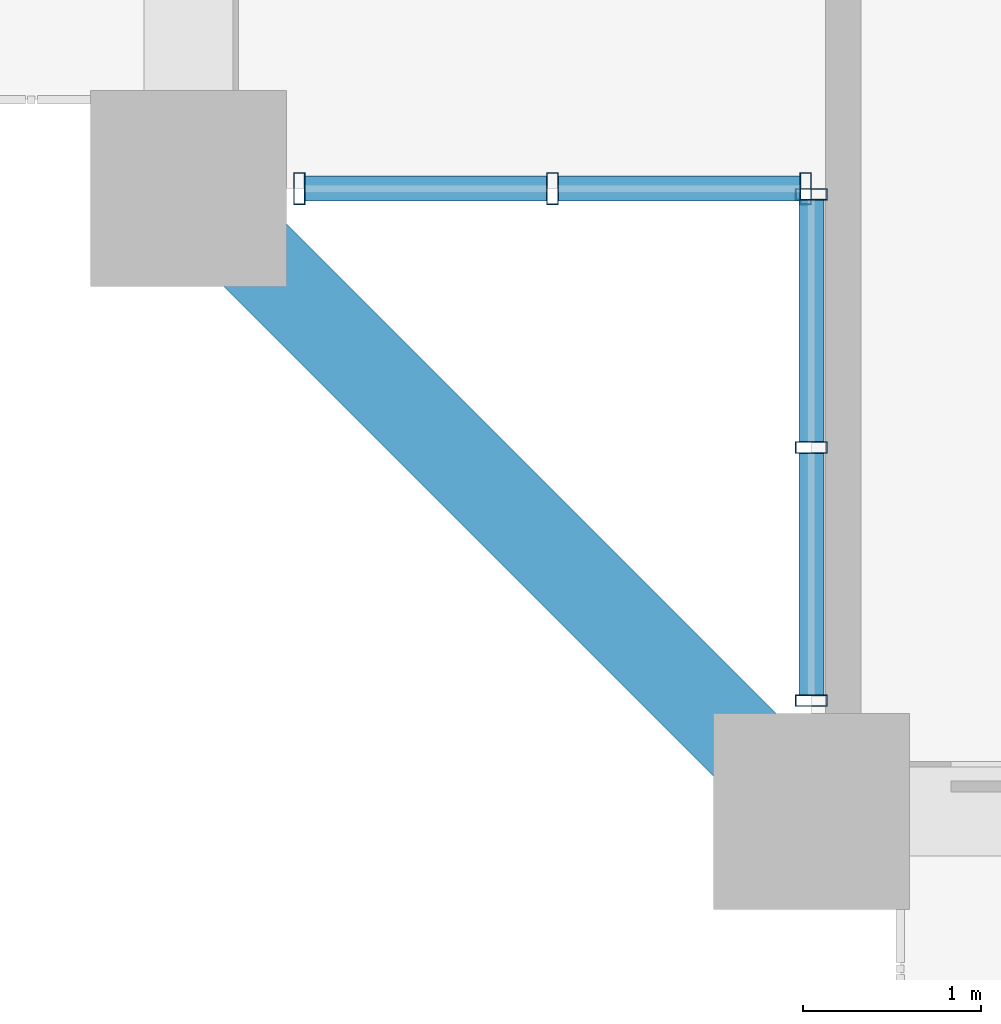
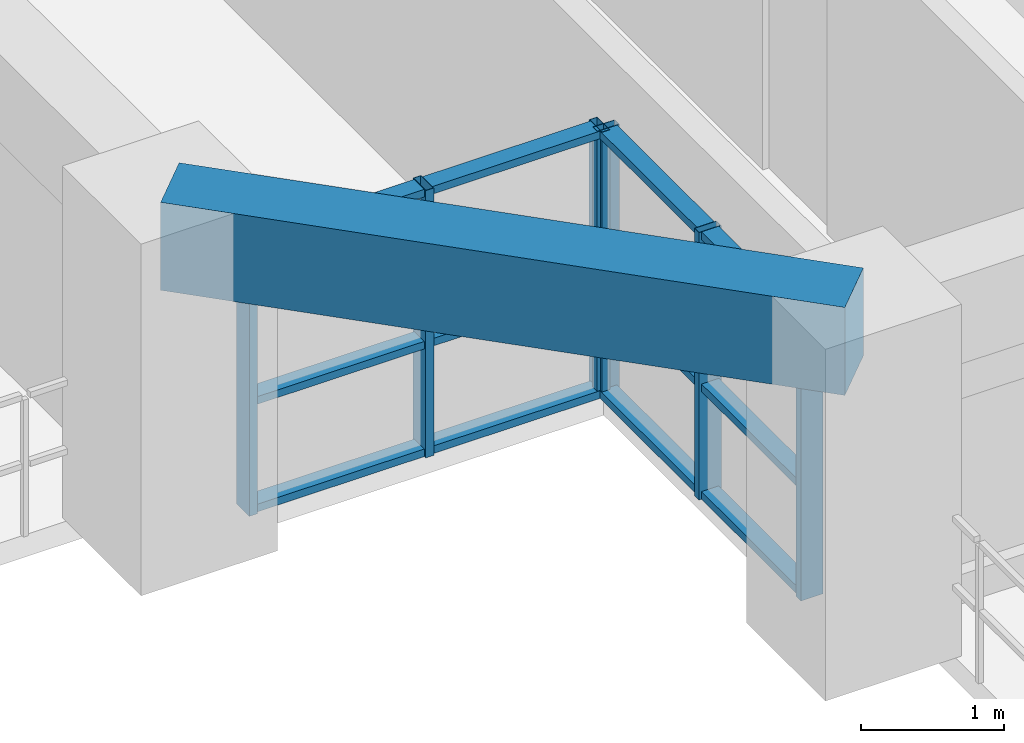
# One storey, part 2 of 28: 18 members, 1 beam, 2 elements without a shape of their own.
"""IFC4 building model written with IfcOpenShell, lengths in metres."""

from ifc_helpers import new_model, si_unit, direction, frame, origin, origin_2d, place, context, subcontext, project, spatial, rectangle, hollow_rectangle, extrude, source, transform, mapped, material, layer, layer_set, material_profile, profile_set, type_object, element, aggregate, save


model = new_model("IFC4")

# Units and contexts
model_context = context("Model", 3, precision=1e-05, world=origin(), true_north=direction((0.0, 1.0)))
body_context = subcontext(model_context, "Body", "Model", "MODEL_VIEW")
ifc_project = project(units=[si_unit("LENGTHUNIT", "METRE"), si_unit("AREAUNIT", "SQUARE_METRE"), si_unit("VOLUMEUNIT", "CUBIC_METRE"), si_unit("PLANEANGLEUNIT", "RADIAN"), si_unit("MASSUNIT", "GRAM", prefix="KILO")], contexts=[model_context])

# Site, building, storey
site_placement = place(None, origin())
site = spatial("IfcSite", under=ifc_project, at=site_placement, CompositionType="ELEMENT")
building_placement = place(site_placement, origin())
building = spatial("IfcBuilding", under=site, at=building_placement, Name="Saelheon Loggia Tower", CompositionType="ELEMENT")
storey_placement = place(building_placement, frame((0.0, 0.0, 25.39990234375)))
storey = spatial("IfcBuildingStorey", under=building, at=storey_placement, Name="L07", CompositionType="ELEMENT", Elevation=25.39990234375)

# Beam
ifc_material_1 = material(Name="Concrete C45/55", Category="concrete")
ifc_material_profile_1 = material_profile(ifc_material_1, rectangle(XDim=0.5, YDim=0.75, at=origin_2d()), Name="RC-500x750")
ifc_profile_set_1 = profile_set([ifc_material_profile_1], Name="Concrete C45/55")
beam_type = type_object("IfcBeamType", Name="Beam_PerimGirder_RC500x750", PredefinedType="BEAM", material=ifc_profile_set_1)
shared_shape_1 = source(origin(), body_context, "Body", "SweptSolid", [
    extrude(rectangle(XDim=0.5, YDim=0.75, at=origin_2d()), origin(), (0.0, 0.0, 1.0), 4.94970703125),
])
beam_placement = place(storey_placement, frame((12.0, 6.5, 2.625), z_axis=(0.707106781187, -0.707106781187, 0.0), x_axis=(0.707106781187, 0.707106781187, 0.0)))
element("IfcBeam", 1, at=beam_placement, inside=storey, type_object=beam_type, Name="L07 Perimeter Frame Girder 16", PredefinedType="BEAM", context=body_context, shape_type="MappedRepresentation", body=[
    mapped(shared_shape_1, transform((0.0, 0.0, 0.0), scale=1.0)),
])

# Curtain wall, members
ifc_material_2 = material(Name="Thermal-Break Aluminium and Triple Low-E Glass", Category="aluminium")
ifc_layer = layer(ifc_material_2, 0.159912109375)
ifc_layer_set = layer_set([ifc_layer], Name="Thermal-Break Aluminium and Triple Low-E Glass")
curtain_wall_type = type_object("IfcCurtainWallType", Name="CW_TowerLoggiaLow", PredefinedType="NOTDEFINED", material=ifc_layer_set)
curtain_wall_1_placement = place(storey_placement, origin())
curtain_wall_1 = element("IfcCurtainWall", 2, at=curtain_wall_1_placement, inside=storey, type_object=curtain_wall_type, Name="L07 Corner Notch Glazing SW1", PredefinedType="NOTDEFINED")
ifc_material_3 = material(Name="Anodised Aluminium 6063-T6", Category="aluminium")
ifc_material_profile_2 = material_profile(ifc_material_3, hollow_rectangle(XDim=0.06494140625, YDim=0.179931640625, WallThickness=0.00390625, at=origin_2d()), Name="RHS-180x65x4")
ifc_profile_set_2 = profile_set([ifc_material_profile_2], Name="Anodised Aluminium 6063-T6")
member_type_1 = type_object("IfcMemberType", Name="CW_TowerLoggiaLow_Mullion", PredefinedType="MULLION", material=ifc_profile_set_2)
shared_shape_2 = source(origin(), body_context, "Body", "SweptSolid", [
    extrude(hollow_rectangle(XDim=0.06494140625, YDim=0.179931640625, WallThickness=0.00390625, at=origin_2d()), origin(), (0.0, 0.0, 1.0), 2.280029296875),
])
member_1_placement = place(storey_placement, frame((15.5, 3.62255859375, 0.0), z_axis=(0.0, 0.0, 1.0), x_axis=(0.0, 1.0, 0.0)))
member_1 = element("IfcMember", 3, at=member_1_placement, type_object=member_type_1, Name="CW3 mullion 1", PredefinedType="MULLION", context=body_context, shape_type="MappedRepresentation", body=[
    mapped(shared_shape_2, transform((0.0, 0.0, 0.0), scale=1.0)),
])
member_2_placement = place(storey_placement, frame((15.5, 5.044921875, 0.0), z_axis=(0.0, 0.0, 1.0), x_axis=(0.0, 1.0, 0.0)))
member_2 = element("IfcMember", 4, at=member_2_placement, type_object=member_type_1, Name="CW3 mullion 2", PredefinedType="MULLION", context=body_context, shape_type="MappedRepresentation", body=[
    mapped(shared_shape_2, transform((0.0, 0.0, 0.0), scale=1.0)),
])
member_3_placement = place(storey_placement, frame((15.5, 6.467529296875, 0.0), z_axis=(0.0, 0.0, 1.0), x_axis=(0.0, 1.0, 0.0)))
member_3 = element("IfcMember", 5, at=member_3_placement, type_object=member_type_1, Name="CW3 mullion 3", PredefinedType="MULLION", context=body_context, shape_type="MappedRepresentation", body=[
    mapped(shared_shape_2, transform((0.0, 0.0, 0.0), scale=1.0)),
])

curtain_wall_2_placement = place(storey_placement, origin())
curtain_wall_2 = element("IfcCurtainWall", 6, at=curtain_wall_2_placement, inside=storey, type_object=curtain_wall_type, Name="L07 Corner Notch Glazing SW2", PredefinedType="NOTDEFINED")
member_4_placement = place(storey_placement, frame((12.62255859375, 6.5, 0.0), z_axis=(0.0, 0.0, 1.0), x_axis=(1.0, 0.0, 0.0)))
member_4 = element("IfcMember", 7, at=member_4_placement, type_object=member_type_1, Name="CW3 mullion 1", PredefinedType="MULLION", context=body_context, shape_type="MappedRepresentation", body=[
    mapped(shared_shape_2, transform((0.0, 0.0, 0.0), scale=1.0)),
])
member_5_placement = place(storey_placement, frame((14.044921875, 6.5, 0.0), z_axis=(0.0, 0.0, 1.0), x_axis=(1.0, 0.0, 0.0)))
member_5 = element("IfcMember", 8, at=member_5_placement, type_object=member_type_1, Name="CW3 mullion 2", PredefinedType="MULLION", context=body_context, shape_type="MappedRepresentation", body=[
    mapped(shared_shape_2, transform((0.0, 0.0, 0.0), scale=1.0)),
])
member_6_placement = place(storey_placement, frame((15.467529296875, 6.5, 0.0), z_axis=(0.0, 0.0, 1.0), x_axis=(1.0, 0.0, 0.0)))
member_6 = element("IfcMember", 9, at=member_6_placement, type_object=member_type_1, Name="CW3 mullion 3", PredefinedType="MULLION", context=body_context, shape_type="MappedRepresentation", body=[
    mapped(shared_shape_2, transform((0.0, 0.0, 0.0), scale=1.0)),
])

# Member
ifc_material_profile_3 = material_profile(ifc_material_3, hollow_rectangle(XDim=0.06494140625, YDim=0.139892578125, WallThickness=0.00390625, at=origin_2d()), Name="RHS-140x65x4")
ifc_profile_set_3 = profile_set([ifc_material_profile_3], Name="Anodised Aluminium 6063-T6")
member_type_2 = type_object("IfcMemberType", Name="CW_TowerLoggiaLow_Transom", PredefinedType="USERDEFINED", material=ifc_profile_set_3)
shared_shape_3 = source(origin(), body_context, "Body", "SweptSolid", [
    extrude(hollow_rectangle(XDim=0.06494140625, YDim=0.139892578125, WallThickness=0.00390625, at=origin_2d()), origin(), (0.0, 0.0, 1.0), 1.357421875),
])
member_7_placement = place(storey_placement, frame((15.5, 3.655029296875, 0.03271484375), z_axis=(0.0, 1.0, 0.0), x_axis=(0.0, 0.0, 1.0)))
member_7 = element("IfcMember", 10, at=member_7_placement, type_object=member_type_2, Name="CW3 transom 1.1", ObjectType="TRANSOM", PredefinedType="USERDEFINED", context=body_context, shape_type="MappedRepresentation", body=[
    mapped(shared_shape_3, transform((0.0, 0.0, 0.0), scale=1.0)),
])

member_8_placement = place(storey_placement, frame((15.5, 3.655029296875, 0.9501953125), z_axis=(0.0, 1.0, 0.0), x_axis=(0.0, 0.0, 1.0)))
member_8 = element("IfcMember", 11, at=member_8_placement, type_object=member_type_2, Name="CW3 transom 1.2", ObjectType="TRANSOM", PredefinedType="USERDEFINED", context=body_context, shape_type="MappedRepresentation", body=[
    mapped(shared_shape_3, transform((0.0, 0.0, 0.0), scale=1.0)),
])

member_9_placement = place(storey_placement, frame((15.5, 3.655029296875, 2.24755859375), z_axis=(0.0, 1.0, 0.0), x_axis=(0.0, 0.0, 1.0)))
member_9 = element("IfcMember", 12, at=member_9_placement, type_object=member_type_2, Name="CW3 transom 1.3", ObjectType="TRANSOM", PredefinedType="USERDEFINED", context=body_context, shape_type="MappedRepresentation", body=[
    mapped(shared_shape_3, transform((0.0, 0.0, 0.0), scale=1.0)),
])

member_10_placement = place(storey_placement, frame((12.655029296875, 6.5, 0.03271484375), z_axis=(1.0, 0.0, 0.0), x_axis=(0.0, 0.0, 1.0)))
member_10 = element("IfcMember", 13, at=member_10_placement, type_object=member_type_2, Name="CW3 transom 1.1", ObjectType="TRANSOM", PredefinedType="USERDEFINED", context=body_context, shape_type="MappedRepresentation", body=[
    mapped(shared_shape_3, transform((0.0, 0.0, 0.0), scale=1.0)),
])

member_11_placement = place(storey_placement, frame((12.655029296875, 6.5, 0.9501953125), z_axis=(1.0, 0.0, 0.0), x_axis=(0.0, 0.0, 1.0)))
member_11 = element("IfcMember", 14, at=member_11_placement, type_object=member_type_2, Name="CW3 transom 1.2", ObjectType="TRANSOM", PredefinedType="USERDEFINED", context=body_context, shape_type="MappedRepresentation", body=[
    mapped(shared_shape_3, transform((0.0, 0.0, 0.0), scale=1.0)),
])

member_12_placement = place(storey_placement, frame((12.655029296875, 6.5, 2.24755859375), z_axis=(1.0, 0.0, 0.0), x_axis=(0.0, 0.0, 1.0)))
member_12 = element("IfcMember", 15, at=member_12_placement, type_object=member_type_2, Name="CW3 transom 1.3", ObjectType="TRANSOM", PredefinedType="USERDEFINED", context=body_context, shape_type="MappedRepresentation", body=[
    mapped(shared_shape_3, transform((0.0, 0.0, 0.0), scale=1.0)),
])

shared_shape_4 = source(origin(), body_context, "Body", "SweptSolid", [
    extrude(hollow_rectangle(XDim=0.06494140625, YDim=0.139892578125, WallThickness=0.00390625, at=origin_2d()), origin(), (0.0, 0.0, 1.0), 1.357666015625),
])
member_13_placement = place(storey_placement, frame((15.5, 5.077392578125, 0.03271484375), z_axis=(0.0, 1.0, 0.0), x_axis=(0.0, 0.0, 1.0)))
member_13 = element("IfcMember", 16, at=member_13_placement, type_object=member_type_2, Name="CW3 transom 2.1", ObjectType="TRANSOM", PredefinedType="USERDEFINED", context=body_context, shape_type="MappedRepresentation", body=[
    mapped(shared_shape_4, transform((0.0, 0.0, 0.0), scale=1.0)),
])

member_14_placement = place(storey_placement, frame((15.5, 5.077392578125, 0.9501953125), z_axis=(0.0, 1.0, 0.0), x_axis=(0.0, 0.0, 1.0)))
member_14 = element("IfcMember", 17, at=member_14_placement, type_object=member_type_2, Name="CW3 transom 2.2", ObjectType="TRANSOM", PredefinedType="USERDEFINED", context=body_context, shape_type="MappedRepresentation", body=[
    mapped(shared_shape_4, transform((0.0, 0.0, 0.0), scale=1.0)),
])

member_15_placement = place(storey_placement, frame((15.5, 5.077392578125, 2.24755859375), z_axis=(0.0, 1.0, 0.0), x_axis=(0.0, 0.0, 1.0)))
member_15 = element("IfcMember", 18, at=member_15_placement, type_object=member_type_2, Name="CW3 transom 2.3", ObjectType="TRANSOM", PredefinedType="USERDEFINED", context=body_context, shape_type="MappedRepresentation", body=[
    mapped(shared_shape_4, transform((0.0, 0.0, 0.0), scale=1.0)),
])

aggregate(curtain_wall_1, [member_1, member_2, member_3, member_7, member_8, member_9, member_13, member_14, member_15])

member_16_placement = place(storey_placement, frame((14.077392578125, 6.5, 0.03271484375), z_axis=(1.0, 0.0, 0.0), x_axis=(0.0, 0.0, 1.0)))
member_16 = element("IfcMember", 19, at=member_16_placement, type_object=member_type_2, Name="CW3 transom 2.1", ObjectType="TRANSOM", PredefinedType="USERDEFINED", context=body_context, shape_type="MappedRepresentation", body=[
    mapped(shared_shape_4, transform((0.0, 0.0, 0.0), scale=1.0)),
])

member_17_placement = place(storey_placement, frame((14.077392578125, 6.5, 0.9501953125), z_axis=(1.0, 0.0, 0.0), x_axis=(0.0, 0.0, 1.0)))
member_17 = element("IfcMember", 20, at=member_17_placement, type_object=member_type_2, Name="CW3 transom 2.2", ObjectType="TRANSOM", PredefinedType="USERDEFINED", context=body_context, shape_type="MappedRepresentation", body=[
    mapped(shared_shape_4, transform((0.0, 0.0, 0.0), scale=1.0)),
])

member_18_placement = place(storey_placement, frame((14.077392578125, 6.5, 2.24755859375), z_axis=(1.0, 0.0, 0.0), x_axis=(0.0, 0.0, 1.0)))
member_18 = element("IfcMember", 21, at=member_18_placement, type_object=member_type_2, Name="CW3 transom 2.3", ObjectType="TRANSOM", PredefinedType="USERDEFINED", context=body_context, shape_type="MappedRepresentation", body=[
    mapped(shared_shape_4, transform((0.0, 0.0, 0.0), scale=1.0)),
])

aggregate(curtain_wall_2, [member_4, member_5, member_6, member_10, member_11, member_12, member_16, member_17, member_18])

save(model, "model.ifc")
